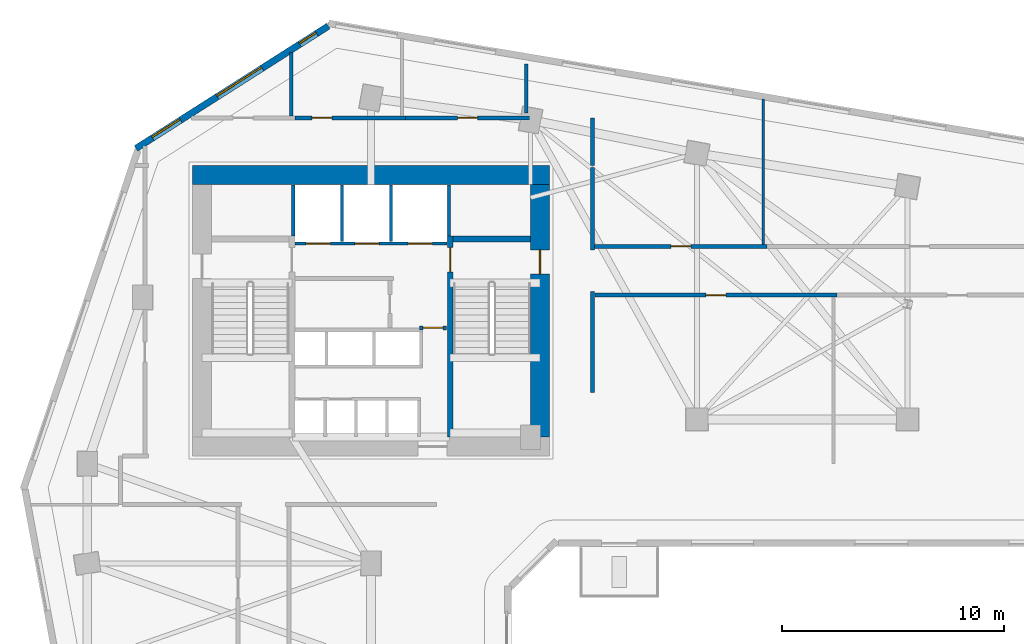
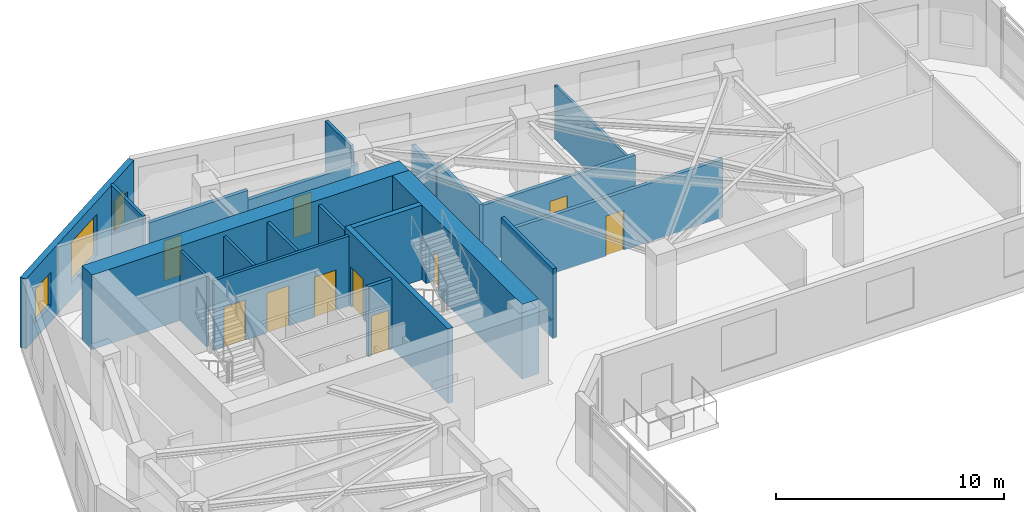
# One storey, part 8 of 11: 21 walls, 10 doors, 3 windows, 13 openings.
"""IFC4 building model written with IfcOpenShell, lengths in metres."""

from ifc_helpers import new_model, si_unit, direction, frame, frame_2d, origin, place, context, subcontext, project, spatial, rectangle, extrude, source, transform, mapped, material, layer, layer_set, type_object, element, fill, save


model = new_model("IFC4")

# Units and contexts
model_context = context("Model", 3, precision=1e-05, world=origin(), true_north=direction((0.0, 1.0)))
body_context = subcontext(model_context, "Body", "Model", "MODEL_VIEW")
ifc_project = project(units=[si_unit("LENGTHUNIT", "METRE"), si_unit("AREAUNIT", "SQUARE_METRE"), si_unit("VOLUMEUNIT", "CUBIC_METRE"), si_unit("PLANEANGLEUNIT", "RADIAN"), si_unit("MASSUNIT", "GRAM", prefix="KILO")], contexts=[model_context])

# Site, building, storey
site_placement = place(None, origin())
site = spatial("IfcSite", under=ifc_project, at=site_placement, CompositionType="ELEMENT")
building_placement = place(site_placement, origin())
building = spatial("IfcBuilding", under=site, at=building_placement, Name="Calvemar Wedge Station Tower", CompositionType="ELEMENT")
storey_placement = place(building_placement, frame((0.0, 0.0, 43.0)))
storey = spatial("IfcBuildingStorey", under=building, at=storey_placement, Name="L10", CompositionType="ELEMENT", Elevation=43.0)

# Wall, opening, door
ifc_material_1 = material(Name="Concrete C50", Category="concrete")
ifc_layer_1 = layer(ifc_material_1, 0.260009765625)
ifc_layer_set_1 = layer_set([ifc_layer_1], Name="Concrete C50")
wall_type_1 = type_object("IfcWallType", Name="SW-CORE-260", PredefinedType="SHEAR", material=ifc_layer_set_1)
wall_1_placement = place(storey_placement, frame((27.3701171875, 34.199951171875, 0.0), z_axis=(0.0, 0.0, 1.0), x_axis=(0.0, 1.0, 0.0)))
wall_1 = element("IfcWall", 1, at=wall_1_placement, inside=storey, type_object=wall_type_1, Name="Storey L10 Core Shear Wall SPINE-E", PredefinedType="SHEAR", context=body_context, shape_type="SweptSolid", body=[
    extrude(rectangle(XDim=9.06005859375, YDim=0.260009765625, at=frame_2d((4.530029296875, 0.0))), origin(), (0.0, 0.0, 1.0), 4.0),
])
shared_shape_1 = source(origin(), body_context, "Body", "SweptSolid", [
    extrude(rectangle(XDim=1.10009765625, YDim=2.14990234375, at=frame_2d((0.550048828125, 1.074951171875))), frame((0.0, 0.14013671875, 0.0), z_axis=(0.0, -1.0, 0.0), x_axis=(1.0, 0.0, 0.0)), (0.0, 0.0, 1.0), 0.280029296875),
])
opening_1_placement = place(wall_1_placement, frame((7.449951171875, 0.0, 0.0)))
opening_1 = element("IfcOpeningElement", 2, at=opening_1_placement, cuts=wall_1, Name="Opening FD-90", PredefinedType="OPENING", context=body_context, shape_type="MappedRepresentation", body=[
    mapped(shared_shape_1, transform((0.0, 0.0, 0.0), scale=1.0)),
])
ifc_material_2 = material(Name="Galvanized fire-rated steel door leaf P-90", Category="steel")
door_type_1 = type_object("IfcDoorType", Name="DR-FD90-1100", OperationType="NOTDEFINED", PredefinedType="DOOR", material=ifc_material_2)
shared_shape_2 = source(origin(), body_context, "Body", "SweptSolid", [
    extrude(rectangle(XDim=1.10009765625, YDim=2.14990234375, at=frame_2d((0.550048828125, 1.074951171875))), frame((0.0, 0.02490234375, 0.0), z_axis=(0.0, -1.0, 0.0), x_axis=(1.0, 0.0, 0.0)), (0.0, 0.0, 1.0), 0.050048828125),
])
door_1_placement = place(opening_1_placement, origin())
door_1 = element("IfcDoor", 3, at=door_1_placement, inside=storey, type_object=door_type_1, Name="L10 FF Lobby to Stair ST-C2 Door", OperationType="SINGLE_SWING_LEFT", OverallHeight=2.14990234375, OverallWidth=1.10009765625, PredefinedType="DOOR", context=body_context, shape_type="MappedRepresentation", body=[
    mapped(shared_shape_2, transform((0.0, 0.0, 0.0), scale=1.0)),
])
fill(opening_1, door_1)

# Walls
wall_2_placement = place(storey_placement, frame((27.5, 43.1298828125, 0.0), z_axis=(0.0, 0.0, 1.0), x_axis=(1.0, 0.0, 0.0)))
element("IfcWall", 4, at=wall_2_placement, inside=storey, type_object=wall_type_1, Name="Storey L10 Core Shear Wall STC2-N", PredefinedType="SHEAR", context=body_context, shape_type="SweptSolid", body=[
    extrude(rectangle(XDim=3.5, YDim=0.260009765625, at=frame_2d((1.75, 0.0))), origin(), (0.0, 0.0, 1.0), 4.0),
])
ifc_material_3 = material(Name="Concrete C80", Category="concrete")
ifc_layer_2 = layer(ifc_material_3, 0.85009765625)
ifc_layer_set_2 = layer_set([ifc_layer_2], Name="Concrete C80")
wall_type_2 = type_object("IfcWallType", Name="SW-CORE-850", PredefinedType="SHEAR", material=ifc_layer_set_2)
wall_3_placement = place(storey_placement, frame((15.75, 46.02490234375, 0.0), z_axis=(0.0, 0.0, 1.0), x_axis=(1.0, 0.0, 0.0)))
element("IfcWall", 5, at=wall_3_placement, inside=storey, type_object=wall_type_2, Name="Storey L10 Core Shear Wall N", PredefinedType="SHEAR", context=body_context, shape_type="SweptSolid", body=[
    extrude(rectangle(XDim=16.10009765625, YDim=0.85009765625, at=frame_2d((8.050048828125, 0.0))), origin(), (0.0, 0.0, 1.0), 4.0),
])

# Wall, opening, door
wall_4_placement = place(storey_placement, frame((31.425048828125, 34.199951171875, 0.0), z_axis=(0.0, 0.0, 1.0), x_axis=(0.0, 1.0, 0.0)))
wall_4 = element("IfcWall", 6, at=wall_4_placement, inside=storey, type_object=wall_type_2, Name="Storey L10 Core Shear Wall E", PredefinedType="SHEAR", context=body_context, shape_type="SweptSolid", body=[
    extrude(rectangle(XDim=11.400146484375, YDim=0.85009765625, at=frame_2d((5.7001953125, 0.0))), origin(), (0.0, 0.0, 1.0), 4.0),
])
shared_shape_3 = source(origin(), body_context, "Body", "SweptSolid", [
    extrude(rectangle(XDim=1.10009765625, YDim=2.14990234375, at=frame_2d((0.550048828125, 1.074951171875))), frame((0.0, 0.43505859375, 0.0), z_axis=(0.0, -1.0, 0.0), x_axis=(1.0, 0.0, 0.0)), (0.0, 0.0, 1.0), 0.8701171875),
])
opening_2_placement = place(wall_4_placement, frame((7.35009765625, 0.0, 0.0)))
opening_2 = element("IfcOpeningElement", 7, at=opening_2_placement, cuts=wall_4, Name="Opening FD-90", PredefinedType="OPENING", context=body_context, shape_type="MappedRepresentation", body=[
    mapped(shared_shape_3, transform((0.0, 0.0, 0.0), scale=1.0)),
])
door_2_placement = place(opening_2_placement, origin())
door_2 = element("IfcDoor", 8, at=door_2_placement, inside=storey, type_object=door_type_1, Name="L10 East Corridor to Exit Stair ST-C2 Door", OperationType="SINGLE_SWING_LEFT", OverallHeight=2.14990234375, OverallWidth=1.10009765625, PredefinedType="DOOR", context=body_context, shape_type="MappedRepresentation", body=[
    mapped(shared_shape_2, transform((0.0, 0.0, 0.0), scale=1.0)),
])
fill(opening_2, door_2)

ifc_material_4 = material(Name="Double-stud fire-rated corridor partition")
ifc_layer_3 = layer(ifc_material_4, 0.179931640625)
ifc_layer_set_3 = layer_set([ifc_layer_3], Name="Double-stud fire-rated corridor partition")
wall_type_3 = type_object("IfcWallType", Name="W-CORR-180", PredefinedType="PARTITIONING", material=ifc_layer_set_3)
wall_5_placement = place(storey_placement, frame((27.199951171875, 39.1298828125, 0.0), z_axis=(0.0, 0.0, 1.0), x_axis=(-1.0, 0.0, 0.0)))
wall_5 = element("IfcWall", 9, at=wall_5_placement, inside=storey, type_object=wall_type_3, Name="Storey L10 Interior Partition WL-L10-003", PredefinedType="PARTITIONING", context=body_context, shape_type="SweptSolid", body=[
    extrude(rectangle(XDim=1.2099609375, YDim=0.179931640625, at=frame_2d((0.60498046875, 0.0))), origin(), (0.0, 0.0, 1.0), 3.75),
])
shared_shape_4 = source(origin(), body_context, "Body", "SweptSolid", [
    extrude(rectangle(XDim=0.89990234375, YDim=2.14990234375, at=frame_2d((0.449951171875, 1.074951171875))), frame((0.0, 0.10009765625, 0.0), z_axis=(0.0, -1.0, 0.0), x_axis=(1.0, 0.0, 0.0)), (0.0, 0.0, 1.0), 0.199951171875),
])
opening_3_placement = place(wall_5_placement, frame((0.155029296875, 0.0, 0.0)))
opening_3 = element("IfcOpeningElement", 10, at=opening_3_placement, cuts=wall_5, Name="Opening FD-60", PredefinedType="OPENING", context=body_context, shape_type="MappedRepresentation", body=[
    mapped(shared_shape_4, transform((0.0, 0.0, 0.0), scale=1.0)),
])
ifc_material_5 = material(Name="Fire-rated acoustic timber-core entrance door EI 60", Category="wood")
door_type_2 = type_object("IfcDoorType", Name="DR-FD60-900", OperationType="NOTDEFINED", PredefinedType="DOOR", material=ifc_material_5)
shared_shape_5 = source(origin(), body_context, "Body", "SweptSolid", [
    extrude(rectangle(XDim=0.89990234375, YDim=2.14990234375, at=frame_2d((0.449951171875, 1.074951171875))), frame((0.0, 0.02490234375, 0.0), z_axis=(0.0, -1.0, 0.0), x_axis=(1.0, 0.0, 0.0)), (0.0, 0.0, 1.0), 0.050048828125),
])
door_3_placement = place(opening_3_placement, origin())
door_3 = element("IfcDoor", 11, at=door_3_placement, inside=storey, type_object=door_type_2, Name="L10 Core Service Lobby Door", OperationType="SINGLE_SWING_LEFT", OverallHeight=2.14990234375, OverallWidth=0.89990234375, PredefinedType="DOOR", context=body_context, shape_type="MappedRepresentation", body=[
    mapped(shared_shape_5, transform((0.0, 0.0, 0.0), scale=1.0)),
])
fill(opening_3, door_3)

wall_6_placement = place(storey_placement, frame((20.362060546875, 48.60009765625, 0.0), z_axis=(0.0, 0.0, 1.0), x_axis=(1.0, 0.0, 0.0)))
wall_6 = element("IfcWall", 12, at=wall_6_placement, inside=storey, type_object=wall_type_3, Name="Storey L10 Interior Partition WL-L10-011", PredefinedType="PARTITIONING", context=body_context, shape_type="SweptSolid", body=[
    extrude(rectangle(XDim=4.998046875, YDim=0.179931640625, at=frame_2d((2.4990234375, 0.0))), origin(), (0.0, 0.0, 1.0), 3.4189453125),
])
opening_4_placement = place(wall_6_placement, frame((0.76806640625, 0.0, 0.0)))
opening_4 = element("IfcOpeningElement", 13, at=opening_4_placement, cuts=wall_6, Name="Opening D-01", PredefinedType="OPENING", context=body_context, shape_type="MappedRepresentation", body=[
    mapped(shared_shape_4, transform((0.0, 0.0, 0.0), scale=1.0)),
])
ifc_material_6 = material(Name="Architectural hardwood acoustic swing door", Category="wood")
door_type_3 = type_object("IfcDoorType", Name="DR-INT-900", OperationType="NOTDEFINED", PredefinedType="DOOR", material=ifc_material_6)
shared_shape_6 = source(origin(), body_context, "Body", "SweptSolid", [
    extrude(rectangle(XDim=0.89990234375, YDim=2.14990234375, at=frame_2d((0.449951171875, 1.074951171875))), frame((0.0, 0.02490234375, 0.0), z_axis=(0.0, -1.0, 0.0), x_axis=(1.0, 0.0, 0.0)), (0.0, 0.0, 1.0), 0.050048828125),
])
door_4_placement = place(opening_4_placement, origin())
door_4 = element("IfcDoor", 14, at=door_4_placement, inside=storey, type_object=door_type_3, Name="L10 Co-Working Studio Door", OperationType="SINGLE_SWING_RIGHT", OverallHeight=2.14990234375, OverallWidth=0.89990234375, PredefinedType="DOOR", context=body_context, shape_type="MappedRepresentation", body=[
    mapped(shared_shape_6, transform((0.0, 0.0, 0.0), scale=1.0)),
])
fill(opening_4, door_4)

wall_7_placement = place(storey_placement, frame((25.362060546875, 48.60009765625, 0.0), z_axis=(0.0, 0.0, 1.0), x_axis=(1.0, 0.0, 0.0)))
wall_7 = element("IfcWall", 15, at=wall_7_placement, inside=storey, type_object=wall_type_3, Name="Storey L10 Interior Partition WL-L10-012", PredefinedType="PARTITIONING", context=body_context, shape_type="SweptSolid", body=[
    extrude(rectangle(XDim=5.597900390625, YDim=0.179931640625, at=frame_2d((2.798828125, 0.0))), origin(), (0.0, 0.0, 1.0), 2.89208984375),
])
opening_5_placement = place(wall_7_placement, frame((2.34912109375, 0.0, 0.0)))
opening_5 = element("IfcOpeningElement", 16, at=opening_5_placement, cuts=wall_7, Name="Opening D-01", PredefinedType="OPENING", context=body_context, shape_type="MappedRepresentation", body=[
    mapped(shared_shape_4, transform((0.0, 0.0, 0.0), scale=1.0)),
])
door_5_placement = place(opening_5_placement, origin())
door_5 = element("IfcDoor", 17, at=door_5_placement, inside=storey, type_object=door_type_3, Name="L10 Female Toilet Door", OperationType="SINGLE_SWING_LEFT", OverallHeight=2.14990234375, OverallWidth=0.89990234375, PredefinedType="DOOR", context=body_context, shape_type="MappedRepresentation", body=[
    mapped(shared_shape_6, transform((0.0, 0.0, 0.0), scale=1.0)),
])
fill(opening_5, door_5)

# Walls
wall_8_placement = place(storey_placement, frame((33.800048828125, 48.60009765625, 0.0), z_axis=(0.0, 0.0, 1.0), x_axis=(0.0, -1.0, 0.0)))
element("IfcWall", 18, at=wall_8_placement, inside=storey, type_object=wall_type_3, Name="Storey L10 Interior Partition WL-L10-013", PredefinedType="PARTITIONING", context=body_context, shape_type="SweptSolid", body=[
    extrude(rectangle(XDim=2.150146484375, YDim=0.179931640625, at=frame_2d((1.0751953125, 0.0))), origin(), (0.0, 0.0, 1.0), 2.89208984375),
])
wall_9_placement = place(storey_placement, frame((33.800048828125, 40.760009765625, 0.0), z_axis=(0.0, 0.0, 1.0), x_axis=(0.0, -1.0, 0.0)))
element("IfcWall", 19, at=wall_9_placement, inside=storey, type_object=wall_type_3, Name="Storey L10 Interior Partition WL-L10-014", PredefinedType="PARTITIONING", context=body_context, shape_type="SweptSolid", body=[
    extrude(rectangle(XDim=4.56005859375, YDim=0.179931640625, at=frame_2d((2.280029296875, 0.0))), origin(), (0.0, 0.0, 1.0), 3.75),
])
wall_10_placement = place(storey_placement, frame((33.800048828125, 46.35595703125, 0.0), z_axis=(0.0, 0.0, 1.0), x_axis=(0.0, -1.0, 0.0)))
element("IfcWall", 20, at=wall_10_placement, inside=storey, type_object=wall_type_3, Name="Storey L10 Interior Partition WL-L10-015", PredefinedType="PARTITIONING", context=body_context, shape_type="SweptSolid", body=[
    extrude(rectangle(XDim=3.716064453125, YDim=0.179931640625, at=frame_2d((1.85791015625, 0.0))), origin(), (0.0, 0.0, 1.0), 3.279052734375),
])

# Wall, opening, door
wall_11_placement = place(storey_placement, frame((44.826904296875, 40.60009765625, 0.0), z_axis=(0.0, 0.0, 1.0), x_axis=(-1.0, 0.0, 0.0)))
wall_11 = element("IfcWall", 21, at=wall_11_placement, inside=storey, type_object=wall_type_3, Name="Storey L10 Interior Partition WL-L10-019", PredefinedType="PARTITIONING", context=body_context, shape_type="SweptSolid", body=[
    extrude(rectangle(XDim=10.932861328125, YDim=0.179931640625, at=frame_2d((5.46630859375, 0.0))), origin(), (0.0, 0.0, 1.0), 3.125),
])
opening_6_placement = place(wall_11_placement, frame((5.0166015625, 0.0, 0.0)))
opening_6 = element("IfcOpeningElement", 22, at=opening_6_placement, cuts=wall_11, Name="Opening D-01", PredefinedType="OPENING", context=body_context, shape_type="MappedRepresentation", body=[
    mapped(shared_shape_4, transform((0.0, 0.0, 0.0), scale=1.0)),
])
door_6_placement = place(opening_6_placement, origin())
door_6 = element("IfcDoor", 23, at=door_6_placement, inside=storey, type_object=door_type_3, Name="L10 Co-Working Studio Door", OperationType="SINGLE_SWING_RIGHT", OverallHeight=2.14990234375, OverallWidth=0.89990234375, PredefinedType="DOOR", context=body_context, shape_type="MappedRepresentation", body=[
    mapped(shared_shape_6, transform((0.0, 0.0, 0.0), scale=1.0)),
])
fill(opening_6, door_6)

wall_12_placement = place(storey_placement, frame((33.89404296875, 42.800048828125, 0.0), z_axis=(0.0, 0.0, 1.0), x_axis=(1.0, 0.0, 0.0)))
wall_12 = element("IfcWall", 24, at=wall_12_placement, inside=storey, type_object=wall_type_3, Name="Storey L10 Interior Partition WL-L10-021", PredefinedType="PARTITIONING", context=body_context, shape_type="SweptSolid", body=[
    extrude(rectangle(XDim=7.765869140625, YDim=0.179931640625, at=frame_2d((3.8828125, 0.0))), origin(), (0.0, 0.0, 1.0), 3.125),
])
opening_7_placement = place(wall_12_placement, frame((3.43310546875, 0.0, 0.0)))
opening_7 = element("IfcOpeningElement", 25, at=opening_7_placement, cuts=wall_12, Name="Opening D-01", PredefinedType="OPENING", context=body_context, shape_type="MappedRepresentation", body=[
    mapped(shared_shape_4, transform((0.0, 0.0, 0.0), scale=1.0)),
])
door_7_placement = place(opening_7_placement, origin())
door_7 = element("IfcDoor", 26, at=door_7_placement, inside=storey, type_object=door_type_3, Name="L10 Meeting Room Door", OperationType="SINGLE_SWING_RIGHT", OverallHeight=2.14990234375, OverallWidth=0.89990234375, PredefinedType="DOOR", context=body_context, shape_type="MappedRepresentation", body=[
    mapped(shared_shape_6, transform((0.0, 0.0, 0.0), scale=1.0)),
])
fill(opening_7, door_7)

# Wall, openings, windows
ifc_material_7 = material(Name="Precast concrete C45", Category="concrete")
ifc_layer_4 = layer(ifc_material_7, 0.300048828125)
ifc_layer_set_4 = layer_set([ifc_layer_4], Name="Precast concrete C45")
wall_type_4 = type_object("IfcWallType", Name="W-EXT-GFRC-300", PredefinedType="SOLIDWALL", material=ifc_layer_set_4)
wall_13_placement = place(storey_placement, frame((21.875, 52.742919921875, 0.0), z_axis=(0.0, 0.0, 1.0), x_axis=(-0.843647802826, -0.536896996441, 0.0)))
wall_13 = element("IfcWall", 27, at=wall_13_placement, inside=storey, type_object=wall_type_4, Name="Storey L10 Bronze GFRC Exterior Wall 11", PredefinedType="SOLIDWALL", context=body_context, shape_type="SweptSolid", body=[
    extrude(rectangle(XDim=10.284423828125, YDim=0.300048828125, at=frame_2d((5.14208984375, 0.0))), origin(), (0.0, 0.0, 1.0), 3.75),
])
shared_shape_7 = source(origin(), body_context, "Body", "SweptSolid", [
    extrude(rectangle(XDim=0.89990234375, YDim=1.60009765625, at=frame_2d((0.449951171875, 0.800048828125))), frame((0.0, 0.16015625, 0.0), z_axis=(0.0, -1.0, 0.0), x_axis=(1.0, 0.0, 0.0)), (0.0, 0.0, 1.0), 0.320068359375),
])
opening_8_placement = place(wall_13_placement, frame((0.62890625, 0.0, 0.85009765625)))
opening_8 = element("IfcOpeningElement", 28, at=opening_8_placement, cuts=wall_13, Name="Opening W7", PredefinedType="OPENING", context=body_context, shape_type="MappedRepresentation", body=[
    mapped(shared_shape_7, transform((0.0, 0.0, 0.0), scale=1.0)),
])
shared_shape_8 = source(origin(), body_context, "Body", "SweptSolid", [
    extrude(rectangle(XDim=2.39990234375, YDim=2.199951171875, at=frame_2d((1.199951171875, 1.10009765625))), frame((0.0, 0.16015625, 0.0), z_axis=(0.0, -1.0, 0.0), x_axis=(1.0, 0.0, 0.0)), (0.0, 0.0, 1.0), 0.320068359375),
])
opening_9_placement = place(wall_13_placement, frame((3.5419921875, 0.0, 0.85009765625)))
opening_9 = element("IfcOpeningElement", 29, at=opening_9_placement, cuts=wall_13, Name="Opening W1", PredefinedType="OPENING", context=body_context, shape_type="MappedRepresentation", body=[
    mapped(shared_shape_8, transform((0.0, 0.0, 0.0), scale=1.0)),
])
shared_shape_9 = source(origin(), body_context, "Body", "SweptSolid", [
    extrude(rectangle(XDim=1.5, YDim=1.800048828125, at=frame_2d((0.75, 0.89990234375))), frame((0.0, 0.16015625, 0.0), z_axis=(0.0, -1.0, 0.0), x_axis=(1.0, 0.0, 0.0)), (0.0, 0.0, 1.0), 0.320068359375),
])
opening_10_placement = place(wall_13_placement, frame((7.904052734375, 0.0, 0.85009765625)))
opening_10 = element("IfcOpeningElement", 30, at=opening_10_placement, cuts=wall_13, Name="Opening W3", PredefinedType="OPENING", context=body_context, shape_type="MappedRepresentation", body=[
    mapped(shared_shape_9, transform((0.0, 0.0, 0.0), scale=1.0)),
])
ifc_material_8 = material(Name="Low-E laminated insulated glass", Category="glass")
window_type_1 = type_object("IfcWindowType", Name="WIN-EXT-1", PartitioningType="SINGLE_PANEL", PredefinedType="WINDOW", material=ifc_material_8)
shared_shape_10 = source(origin(), body_context, "Body", "SweptSolid", [
    extrude(rectangle(XDim=2.39990234375, YDim=2.199951171875, at=frame_2d((1.199951171875, 1.10009765625))), frame((0.0, -0.014892578125, 0.0), z_axis=(0.0, -1.0, 0.0), x_axis=(1.0, 0.0, 0.0)), (0.0, 0.0, 1.0), 0.06005859375),
])
window_1_placement = place(opening_9_placement, origin())
window_1 = element("IfcWindow", 31, at=window_1_placement, inside=storey, type_object=window_type_1, Name="Storey L10 Recessed Window 11.2", OverallHeight=2.199951171875, OverallWidth=2.39990234375, PartitioningType="SINGLE_PANEL", PredefinedType="WINDOW", context=body_context, shape_type="MappedRepresentation", body=[
    mapped(shared_shape_10, transform((0.0, 0.0, 0.0), scale=1.0)),
])
fill(opening_9, window_1)
window_type_2 = type_object("IfcWindowType", Name="WIN-EXT-3", PartitioningType="SINGLE_PANEL", PredefinedType="WINDOW", material=ifc_material_8)
shared_shape_11 = source(origin(), body_context, "Body", "SweptSolid", [
    extrude(rectangle(XDim=1.5, YDim=1.800048828125, at=frame_2d((0.75, 0.89990234375))), frame((0.0, -0.014892578125, 0.0), z_axis=(0.0, -1.0, 0.0), x_axis=(1.0, 0.0, 0.0)), (0.0, 0.0, 1.0), 0.06005859375),
])
window_2_placement = place(opening_10_placement, origin())
window_2 = element("IfcWindow", 32, at=window_2_placement, inside=storey, type_object=window_type_2, Name="Storey L10 Recessed Window 11.3", OverallHeight=1.800048828125, OverallWidth=1.5, PartitioningType="SINGLE_PANEL", PredefinedType="WINDOW", context=body_context, shape_type="MappedRepresentation", body=[
    mapped(shared_shape_11, transform((0.0, 0.0, 0.0), scale=1.0)),
])
fill(opening_10, window_2)
window_type_3 = type_object("IfcWindowType", Name="WIN-EXT-7", PartitioningType="SINGLE_PANEL", PredefinedType="WINDOW", material=ifc_material_8)
shared_shape_12 = source(origin(), body_context, "Body", "SweptSolid", [
    extrude(rectangle(XDim=0.89990234375, YDim=1.60009765625, at=frame_2d((0.449951171875, 0.800048828125))), frame((0.0, -0.014892578125, 0.0), z_axis=(0.0, -1.0, 0.0), x_axis=(1.0, 0.0, 0.0)), (0.0, 0.0, 1.0), 0.06005859375),
])
window_3_placement = place(opening_8_placement, origin())
window_3 = element("IfcWindow", 33, at=window_3_placement, inside=storey, type_object=window_type_3, Name="Storey L10 Recessed Window 11.1", OverallHeight=1.60009765625, OverallWidth=0.89990234375, PartitioningType="SINGLE_PANEL", PredefinedType="WINDOW", context=body_context, shape_type="MappedRepresentation", body=[
    mapped(shared_shape_12, transform((0.0, 0.0, 0.0), scale=1.0)),
])
fill(opening_8, window_3)

# Wall, openings, doors
ifc_material_9 = material(Name="Reinforced concrete blockwork lift shaft wall", Category="masonry")
ifc_layer_5 = layer(ifc_material_9, 0.139892578125)
ifc_layer_set_5 = layer_set([ifc_layer_5], Name="Reinforced concrete blockwork lift shaft wall")
wall_type_5 = type_object("IfcWallType", Name="W-LIFT-160", PredefinedType="SOLIDWALL", material=ifc_layer_set_5)
wall_14_placement = place(storey_placement, frame((20.3701171875, 42.929931640625, 0.0), z_axis=(0.0, 0.0, 1.0), x_axis=(1.0, 0.0, 0.0)))
wall_14 = element("IfcWall", 34, at=wall_14_placement, inside=storey, type_object=wall_type_5, Name="Storey L10 Firefighting and Service Lift Shaft Front Wall", PredefinedType="SOLIDWALL", context=body_context, shape_type="SweptSolid", body=[
    extrude(rectangle(XDim=6.85986328125, YDim=0.139892578125, at=frame_2d((3.429931640625, 0.0))), origin(), (0.0, 0.0, 1.0), 3.75),
])
shared_shape_13 = source(origin(), body_context, "Body", "SweptSolid", [
    extrude(rectangle(XDim=1.10009765625, YDim=2.14990234375, at=frame_2d((0.550048828125, 1.074951171875))), frame((0.0, 0.080078125, 0.0), z_axis=(0.0, -1.0, 0.0), x_axis=(1.0, 0.0, 0.0)), (0.0, 0.0, 1.0), 0.159912109375),
])
opening_11_placement = place(wall_14_placement, frame((0.5, 0.0, 0.0)))
opening_11 = element("IfcOpeningElement", 35, at=opening_11_placement, cuts=wall_14, Name="Opening LD-FF", PredefinedType="OPENING", context=body_context, shape_type="MappedRepresentation", body=[
    mapped(shared_shape_13, transform((0.0, 0.0, 0.0), scale=1.0)),
])
opening_12_placement = place(wall_14_placement, frame((2.699951171875, 0.0, 0.0)))
opening_12 = element("IfcOpeningElement", 36, at=opening_12_placement, cuts=wall_14, Name="Opening LD-FF", PredefinedType="OPENING", context=body_context, shape_type="MappedRepresentation", body=[
    mapped(shared_shape_13, transform((0.0, 0.0, 0.0), scale=1.0)),
])
opening_13_placement = place(wall_14_placement, frame((5.10009765625, 0.0, 0.0)))
opening_13 = element("IfcOpeningElement", 37, at=opening_13_placement, cuts=wall_14, Name="Opening LD-STN", PredefinedType="OPENING", context=body_context, shape_type="MappedRepresentation", body=[
    mapped(shared_shape_13, transform((0.0, 0.0, 0.0), scale=1.0)),
])
ifc_material_10 = material(Name="Stainless steel firefighting lift sliding landing door", Category="steel")
door_type_4 = type_object("IfcDoorType", Name="DR-LD-FF-1100", OperationType="SLIDING_TO_LEFT", PredefinedType="DOOR", material=ifc_material_10)
shared_shape_14 = source(origin(), body_context, "Body", "SweptSolid", [
    extrude(rectangle(XDim=1.10009765625, YDim=2.14990234375, at=frame_2d((0.550048828125, 1.074951171875))), frame((0.0, 0.02490234375, 0.0), z_axis=(0.0, -1.0, 0.0), x_axis=(1.0, 0.0, 0.0)), (0.0, 0.0, 1.0), 0.050048828125),
])
door_8_placement = place(opening_11_placement, origin())
door_8 = element("IfcDoor", 38, at=door_8_placement, inside=storey, type_object=door_type_4, Name="L10 Lift FF-01 Sliding Landing Door", OperationType="SLIDING_TO_LEFT", OverallHeight=2.14990234375, OverallWidth=1.10009765625, PredefinedType="DOOR", context=body_context, shape_type="MappedRepresentation", body=[
    mapped(shared_shape_14, transform((0.0, 0.0, 0.0), scale=1.0)),
])
fill(opening_11, door_8)
door_9_placement = place(opening_12_placement, origin())
door_9 = element("IfcDoor", 39, at=door_9_placement, inside=storey, type_object=door_type_4, Name="L10 Lift FF-02 Sliding Landing Door", OperationType="SLIDING_TO_RIGHT", OverallHeight=2.14990234375, OverallWidth=1.10009765625, PredefinedType="DOOR", context=body_context, shape_type="MappedRepresentation", body=[
    mapped(shared_shape_14, transform((0.0, 0.0, 0.0), scale=1.0)),
])
fill(opening_12, door_9)
ifc_material_11 = material(Name="Stainless steel transit lift sliding landing door", Category="steel")
door_type_5 = type_object("IfcDoorType", Name="DR-LD-PAX-1100", OperationType="SLIDING_TO_LEFT", PredefinedType="DOOR", material=ifc_material_11)
shared_shape_15 = source(origin(), body_context, "Body", "SweptSolid", [
    extrude(rectangle(XDim=1.10009765625, YDim=2.14990234375, at=frame_2d((0.550048828125, 1.074951171875))), frame((0.0, 0.02490234375, 0.0), z_axis=(0.0, -1.0, 0.0), x_axis=(1.0, 0.0, 0.0)), (0.0, 0.0, 1.0), 0.050048828125),
])
door_10_placement = place(opening_13_placement, origin())
door_10 = element("IfcDoor", 40, at=door_10_placement, inside=storey, type_object=door_type_5, Name="L10 Lift SV-01 Sliding Landing Door", OperationType="SLIDING_TO_LEFT", OverallHeight=2.14990234375, OverallWidth=1.10009765625, PredefinedType="DOOR", context=body_context, shape_type="MappedRepresentation", body=[
    mapped(shared_shape_15, transform((0.0, 0.0, 0.0), scale=1.0)),
])
fill(opening_13, door_10)

# Walls
for number, where, z_axis, x_axis, name in (
    (41, (20.2900390625, 43.280029296875, 0.0), (0.0, 0.0, 1.0), (0.0, 1.0, 0.0), "Storey L10 Firefighting Lift Shaft Enclosure Wall W"),
    (42, (27.31005859375, 43.280029296875, 0.0), (0.0, 0.0, 1.0), (0.0, 1.0, 0.0), "Storey L10 Firefighting Lift Shaft Enclosure Wall E"),
):
    element("IfcWall", number, at=place(storey_placement, frame(where, z_axis=z_axis, x_axis=x_axis)), inside=storey, type_object=wall_type_5, Name=name, PredefinedType="SOLIDWALL", context=body_context, shape_type="SweptSolid", body=[
        extrude(rectangle(XDim=2.300048828125, YDim=0.139892578125, at=frame_2d((1.14990234375, 0.0))), origin(), (0.0, 0.0, 1.0), 3.75),
    ])
for number, where, z_axis, x_axis, name in (
    (43, (22.5, 43.02001953125, 0.0), (0.0, 0.0, 1.0), (0.0, 1.0, 0.0), "Storey L10 Firefighting Lift Shaft Enclosure Wall D1"),
    (44, (24.699951171875, 43.02001953125, 0.0), (0.0, 0.0, 1.0), (0.0, 1.0, 0.0), "Storey L10 Firefighting Lift Shaft Enclosure Wall D2"),
):
    element("IfcWall", number, at=place(storey_placement, frame(where, z_axis=z_axis, x_axis=x_axis)), inside=storey, type_object=wall_type_5, Name=name, PredefinedType="SOLIDWALL", context=body_context, shape_type="SweptSolid", body=[
        extrude(rectangle(XDim=2.56005859375, YDim=0.139892578125, at=frame_2d((1.280029296875, 0.0))), origin(), (0.0, 0.0, 1.0), 3.75),
    ])
ifc_material_12 = material(Name="Insulated acoustic gypsum stud partition")
ifc_layer_6 = layer(ifc_material_12, 0.125)
ifc_layer_set_6 = layer_set([ifc_layer_6], Name="Insulated acoustic gypsum stud partition")
wall_type_6 = type_object("IfcWallType", Name="W-PART-125", PredefinedType="PARTITIONING", material=ifc_layer_set_6)
wall_15_placement = place(storey_placement, frame((41.5, 49.442626953125, 0.0), z_axis=(0.0, 0.0, 1.0), x_axis=(0.0, -1.0, 0.0)))
element("IfcWall", 45, at=wall_15_placement, inside=storey, type_object=wall_type_6, Name="Storey L10 Interior Partition WL-L10-026", PredefinedType="PARTITIONING", context=body_context, shape_type="SweptSolid", body=[
    extrude(rectangle(XDim=6.548583984375, YDim=0.125, at=frame_2d((3.2744140625, 0.0))), origin(), (0.0, 0.0, 1.0), 2.89208984375),
])
ifc_material_13 = material(Name="Moisture-resistant acoustic bathroom partition")
ifc_layer_7 = layer(ifc_material_13, 0.14990234375)
ifc_layer_set_7 = layer_set([ifc_layer_7], Name="Moisture-resistant acoustic bathroom partition")
wall_type_7 = type_object("IfcWallType", Name="W-WET-150", PredefinedType="PARTITIONING", material=ifc_layer_set_7)
wall_16_placement = place(storey_placement, frame((20.199951171875, 51.540283203125, 0.0), z_axis=(0.0, 0.0, 1.0), x_axis=(0.0, -1.0, 0.0)))
element("IfcWall", 46, at=wall_16_placement, inside=storey, type_object=wall_type_7, Name="Storey L10 Interior Partition WL-L10-017", PredefinedType="PARTITIONING", context=body_context, shape_type="SweptSolid", body=[
    extrude(rectangle(XDim=2.84619140625, YDim=0.14990234375, at=frame_2d((1.423095703125, 0.0))), origin(), (0.0, 0.0, 1.0), 3.75),
])
wall_17_placement = place(storey_placement, frame((30.800048828125, 51.02392578125, 0.0), z_axis=(0.0, 0.0, 1.0), x_axis=(0.0, -1.0, 0.0)))
element("IfcWall", 47, at=wall_17_placement, inside=storey, type_object=wall_type_7, Name="Storey L10 Bathroom Enclosure Wall WL-L10-035", PredefinedType="PARTITIONING", context=body_context, shape_type="SweptSolid", body=[
    extrude(rectangle(XDim=2.203857421875, YDim=0.14990234375, at=frame_2d((1.10205078125, 0.0))), origin(), (0.0, 0.0, 1.0), 3.75),
])

save(model, "model.ifc")
